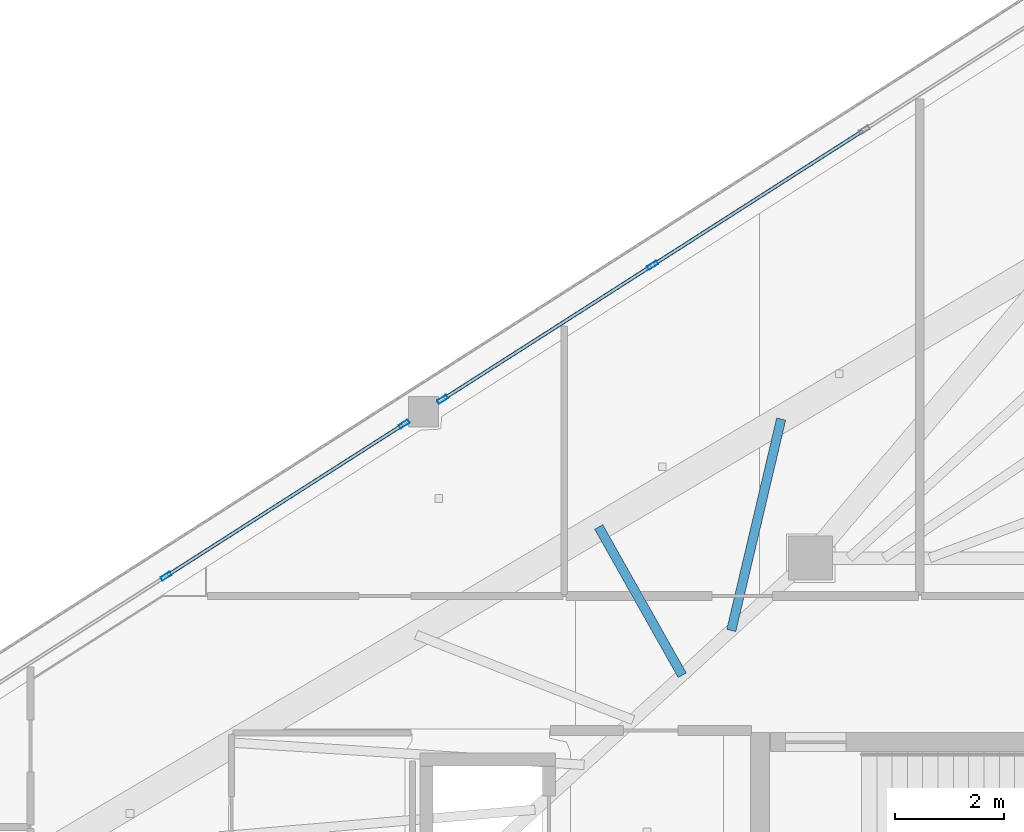
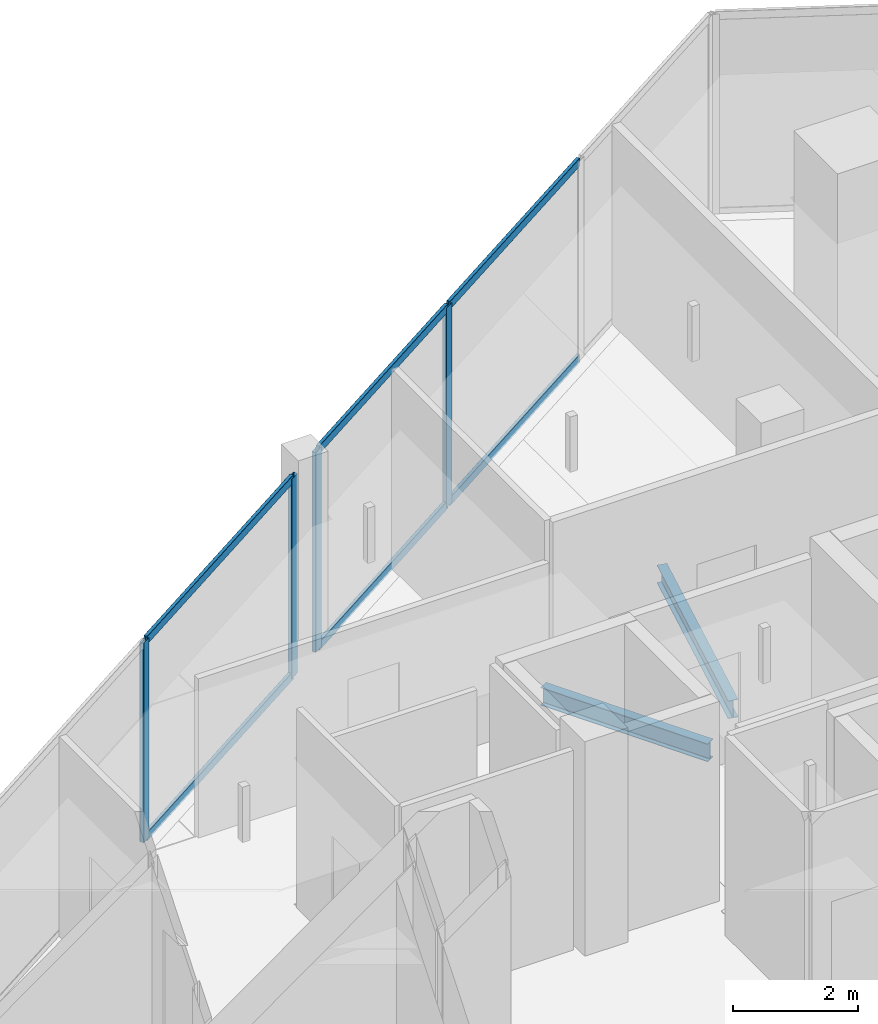
# One storey, part 10 of 23: 10 members, 2 beams, 2 elements without a shape of their own.
"""IFC4 building model written with IfcOpenShell, lengths in metres."""

from ifc_helpers import new_model, si_unit, direction, frame, origin, origin_2d, place, context, subcontext, project, spatial, hollow_rectangle, i_section, extrude, material, layer, layer_set, material_profile, profile_set, type_object, element, aggregate, save


model = new_model("IFC4")

# Units and contexts
model_context = context("Model", 3, precision=1e-05, world=origin(), true_north=direction((0.0, 1.0)))
body_context = subcontext(model_context, "Body", "Model", "MODEL_VIEW")
ifc_project = project(units=[si_unit("LENGTHUNIT", "METRE"), si_unit("AREAUNIT", "SQUARE_METRE"), si_unit("VOLUMEUNIT", "CUBIC_METRE"), si_unit("PLANEANGLEUNIT", "RADIAN"), si_unit("MASSUNIT", "GRAM", prefix="KILO")], contexts=[model_context])

# Site, building, storey
site_placement = place(None, origin())
site = spatial("IfcSite", under=ifc_project, at=site_placement, CompositionType="ELEMENT")
building_placement = place(site_placement, origin())
building = spatial("IfcBuilding", under=site, at=building_placement, Name="Qorvath Tower", CompositionType="ELEMENT")
storey_placement = place(building_placement, frame((0.0, 0.0, 310.199951171875)))
storey = spatial("IfcBuildingStorey", under=building, at=storey_placement, Name="L72", CompositionType="ELEMENT", Elevation=310.199951171875)

# Beams
ifc_material_1 = material(Name="Steel ASTM A992 Grade 50", Category="steel")
ifc_material_profile_1 = material_profile(ifc_material_1, i_section(OverallWidth=0.1708984375, OverallDepth=0.35107421875, WebThickness=0.0068359375, FlangeThickness=0.009765625, FilletRadius=0.010009765625, at=origin_2d()), Name="W14x30")
ifc_profile_set_1 = profile_set([ifc_material_profile_1], Name="Steel ASTM A992 Grade 50")
beam_type = type_object("IfcBeamType", Name="BM-FJ4", PredefinedType="JOIST", material=ifc_profile_set_1)
beam_1_placement = place(storey_placement, frame((-25.946044921875, 9.30810546875, -0.465576171875), z_axis=(-0.490626385489, 0.871370041866, 0.0), x_axis=(-0.871370041866, -0.490626385489, 0.0)))
element("IfcBeam", 1, at=beam_1_placement, inside=storey, type_object=beam_type, Name="Composite Floor Joist NW5 L72", PredefinedType="JOIST", context=body_context, shape_type="SweptSolid", body=[
    extrude(i_section(OverallWidth=0.1708984375, OverallDepth=0.35107421875, WebThickness=0.0068359375, FlangeThickness=0.009765625, FilletRadius=0.010009765625, at=origin_2d()), origin(), (0.0, 0.0, 1.0), 3.110595703125),
])
beam_2_placement = place(storey_placement, frame((-25.049072265625, 10.126953125, -0.465576171875), z_axis=(0.22966321917, 0.973270160726, 0.0), x_axis=(-0.973270160726, 0.22966321917, 0.0)))
element("IfcBeam", 2, at=beam_2_placement, inside=storey, type_object=beam_type, Name="Composite Floor Joist NW6 L72", PredefinedType="JOIST", context=body_context, shape_type="SweptSolid", body=[
    extrude(i_section(OverallWidth=0.1708984375, OverallDepth=0.35107421875, WebThickness=0.0068359375, FlangeThickness=0.009765625, FilletRadius=0.010009765625, at=origin_2d()), origin(), (0.0, 0.0, 1.0), 3.969482421875),
])

# Curtain wall, members
ifc_material_2 = material(Name="Anodised aluminium and triple low-E glass", Category="aluminium")
ifc_layer = layer(ifc_material_2, 0.179931640625)
ifc_layer_set = layer_set([ifc_layer], Name="CW-SYS-4")
curtain_wall_type = type_object("IfcCurtainWallType", Name="CW-SYS-4", PredefinedType="NOTDEFINED", material=ifc_layer_set)
curtain_wall_1_placement = place(storey_placement, origin())
curtain_wall_1 = element("IfcCurtainWall", 3, at=curtain_wall_1_placement, inside=storey, type_object=curtain_wall_type, Name="Curtain Wall CW-4 CW-T-L72-16.1", PredefinedType="NOTDEFINED")
ifc_material_3 = material(Name="Anodised aluminium 6063-T6", Category="aluminium")
ifc_material_profile_2 = material_profile(ifc_material_3, hollow_rectangle(XDim=0.074951171875, YDim=0.199951171875, WallThickness=0.00390625, InnerFilletRadius=0.00390625, OuterFilletRadius=0.008056640625, at=origin_2d()), Name="CWM 200x75")
ifc_profile_set_2 = profile_set([ifc_material_profile_2], Name="Anodised aluminium 6063-T6")
member_type_1 = type_object("IfcMemberType", Name="CWM-200", PredefinedType="MULLION", material=ifc_profile_set_2)
member_1_placement = place(storey_placement, frame((-26.488525390625, 16.801513671875, 0.0), z_axis=(0.0, 0.0, 1.0), x_axis=(0.538531336391, -0.842605482847, 0.0)))
member_1 = element("IfcMember", 4, at=member_1_placement, type_object=member_type_1, Name="CW-4 mullion 3", PredefinedType="MULLION", context=body_context, shape_type="SweptSolid", body=[
    extrude(hollow_rectangle(XDim=0.074951171875, YDim=0.199951171875, WallThickness=0.00390625, InnerFilletRadius=0.00390625, OuterFilletRadius=0.008056640625, at=origin_2d()), origin(), (0.0, 0.0, 1.0), 3.91015625),
])
member_2_placement = place(storey_placement, frame((-30.32568359375, 14.34912109375, 0.0), z_axis=(0.0, 0.0, 1.0), x_axis=(0.538531336391, -0.842605482847, 0.0)))
member_2 = element("IfcMember", 5, at=member_2_placement, type_object=member_type_1, Name="CW-4 mullion 4", PredefinedType="MULLION", context=body_context, shape_type="SweptSolid", body=[
    extrude(hollow_rectangle(XDim=0.074951171875, YDim=0.199951171875, WallThickness=0.00390625, InnerFilletRadius=0.00390625, OuterFilletRadius=0.008056640625, at=origin_2d()), origin(), (0.0, 0.0, 1.0), 3.91015625),
])

curtain_wall_2_placement = place(storey_placement, origin())
curtain_wall_2 = element("IfcCurtainWall", 6, at=curtain_wall_2_placement, inside=storey, type_object=curtain_wall_type, Name="Curtain Wall CW-4 CW-T-L72-16.2", PredefinedType="NOTDEFINED")
member_3_placement = place(storey_placement, frame((-31.02880859375, 13.899658203125, 0.0), z_axis=(0.0, 0.0, 1.0), x_axis=(0.538538446751, -0.842600938387, 0.0)))
member_3 = element("IfcMember", 7, at=member_3_placement, type_object=member_type_1, Name="CW-4 mullion 1", PredefinedType="MULLION", context=body_context, shape_type="SweptSolid", body=[
    extrude(hollow_rectangle(XDim=0.074951171875, YDim=0.199951171875, WallThickness=0.00390625, InnerFilletRadius=0.00390625, OuterFilletRadius=0.008056640625, at=origin_2d()), origin(), (0.0, 0.0, 1.0), 3.91015625),
])
member_4_placement = place(storey_placement, frame((-35.37890625, 11.119384765625, 0.0), z_axis=(0.0, 0.0, 1.0), x_axis=(0.538538446751, -0.842600938387, 0.0)))
member_4 = element("IfcMember", 8, at=member_4_placement, type_object=member_type_1, Name="CW-4 mullion 2", PredefinedType="MULLION", context=body_context, shape_type="SweptSolid", body=[
    extrude(hollow_rectangle(XDim=0.074951171875, YDim=0.199951171875, WallThickness=0.00390625, InnerFilletRadius=0.00390625, OuterFilletRadius=0.008056640625, at=origin_2d()), origin(), (0.0, 0.0, 1.0), 3.91015625),
])

# Member
ifc_material_4 = material(Name="Anodised aluminium 6063-T6", Category="aluminium")
ifc_material_profile_3 = material_profile(ifc_material_4, hollow_rectangle(XDim=0.06494140625, YDim=0.159912109375, WallThickness=0.00341796875, InnerFilletRadius=0.00341796875, OuterFilletRadius=0.007080078125, at=origin_2d()), Name="CWT 160x65")
ifc_profile_set_3 = profile_set([ifc_material_profile_3], Name="Anodised aluminium 6063-T6")
member_type_2 = type_object("IfcMemberType", Name="CWT-160", PredefinedType="USERDEFINED", material=ifc_profile_set_3)
member_5_placement = place(storey_placement, frame((-22.6513671875, 19.25390625, 0.032470703125), z_axis=(-0.84262267674, -0.538504433262, 0.0), x_axis=(0.538504433262, -0.84262267674, 0.0)))
member_5 = element("IfcMember", 9, at=member_5_placement, type_object=member_type_2, Name="CW-4 transom 2.1", ObjectType="TRANSOM", PredefinedType="USERDEFINED", context=body_context, shape_type="SweptSolid", body=[
    extrude(hollow_rectangle(XDim=0.06494140625, YDim=0.159912109375, WallThickness=0.00341796875, InnerFilletRadius=0.00341796875, OuterFilletRadius=0.007080078125, at=origin_2d()), origin(), (0.0, 0.0, 1.0), 4.516357421875),
])

member_6_placement = place(storey_placement, frame((-22.6513671875, 19.25390625, 3.877685546875), z_axis=(-0.84262267674, -0.538504433262, 0.0), x_axis=(0.538504433262, -0.84262267674, 0.0)))
member_6 = element("IfcMember", 10, at=member_6_placement, type_object=member_type_2, Name="CW-4 transom 2.2", ObjectType="TRANSOM", PredefinedType="USERDEFINED", context=body_context, shape_type="SweptSolid", body=[
    extrude(hollow_rectangle(XDim=0.06494140625, YDim=0.159912109375, WallThickness=0.00341796875, InnerFilletRadius=0.00341796875, OuterFilletRadius=0.007080078125, at=origin_2d()), origin(), (0.0, 0.0, 1.0), 4.516357421875),
])

member_7_placement = place(storey_placement, frame((-26.52001953125, 16.78125, 0.032470703125), z_axis=(-0.842620683766, -0.538507551748, 0.0), x_axis=(0.538507551748, -0.842620683766, 0.0)))
member_7 = element("IfcMember", 11, at=member_7_placement, type_object=member_type_2, Name="CW-4 transom 3.1", ObjectType="TRANSOM", PredefinedType="USERDEFINED", context=body_context, shape_type="SweptSolid", body=[
    extrude(hollow_rectangle(XDim=0.06494140625, YDim=0.159912109375, WallThickness=0.00341796875, InnerFilletRadius=0.00341796875, OuterFilletRadius=0.007080078125, at=origin_2d()), origin(), (0.0, 0.0, 1.0), 4.478759765625),
])

member_8_placement = place(storey_placement, frame((-26.52001953125, 16.78125, 3.877685546875), z_axis=(-0.842620683766, -0.538507551748, 0.0), x_axis=(0.538507551748, -0.842620683766, 0.0)))
member_8 = element("IfcMember", 12, at=member_8_placement, type_object=member_type_2, Name="CW-4 transom 3.2", ObjectType="TRANSOM", PredefinedType="USERDEFINED", context=body_context, shape_type="SweptSolid", body=[
    extrude(hollow_rectangle(XDim=0.06494140625, YDim=0.159912109375, WallThickness=0.00341796875, InnerFilletRadius=0.00341796875, OuterFilletRadius=0.007080078125, at=origin_2d()), origin(), (0.0, 0.0, 1.0), 4.478759765625),
])

aggregate(curtain_wall_1, [member_1, member_2, member_5, member_6, member_7, member_8])

member_9_placement = place(storey_placement, frame((-31.060546875, 13.87939453125, 0.032470703125), z_axis=(-0.84260068815, -0.538538838274, 0.0), x_axis=(0.538538838274, -0.84260068815, 0.0)))
member_9 = element("IfcMember", 13, at=member_9_placement, type_object=member_type_2, Name="CW-4 transom 1.1", ObjectType="TRANSOM", PredefinedType="USERDEFINED", context=body_context, shape_type="SweptSolid", body=[
    extrude(hollow_rectangle(XDim=0.06494140625, YDim=0.159912109375, WallThickness=0.00341796875, InnerFilletRadius=0.00341796875, OuterFilletRadius=0.007080078125, at=origin_2d()), origin(), (0.0, 0.0, 1.0), 5.08740234375),
])

member_10_placement = place(storey_placement, frame((-31.060546875, 13.87939453125, 3.877685546875), z_axis=(-0.84260068815, -0.538538838274, 0.0), x_axis=(0.538538838274, -0.84260068815, 0.0)))
member_10 = element("IfcMember", 14, at=member_10_placement, type_object=member_type_2, Name="CW-4 transom 1.2", ObjectType="TRANSOM", PredefinedType="USERDEFINED", context=body_context, shape_type="SweptSolid", body=[
    extrude(hollow_rectangle(XDim=0.06494140625, YDim=0.159912109375, WallThickness=0.00341796875, InnerFilletRadius=0.00341796875, OuterFilletRadius=0.007080078125, at=origin_2d()), origin(), (0.0, 0.0, 1.0), 5.08740234375),
])

aggregate(curtain_wall_2, [member_3, member_4, member_9, member_10])

save(model, "model.ifc")
